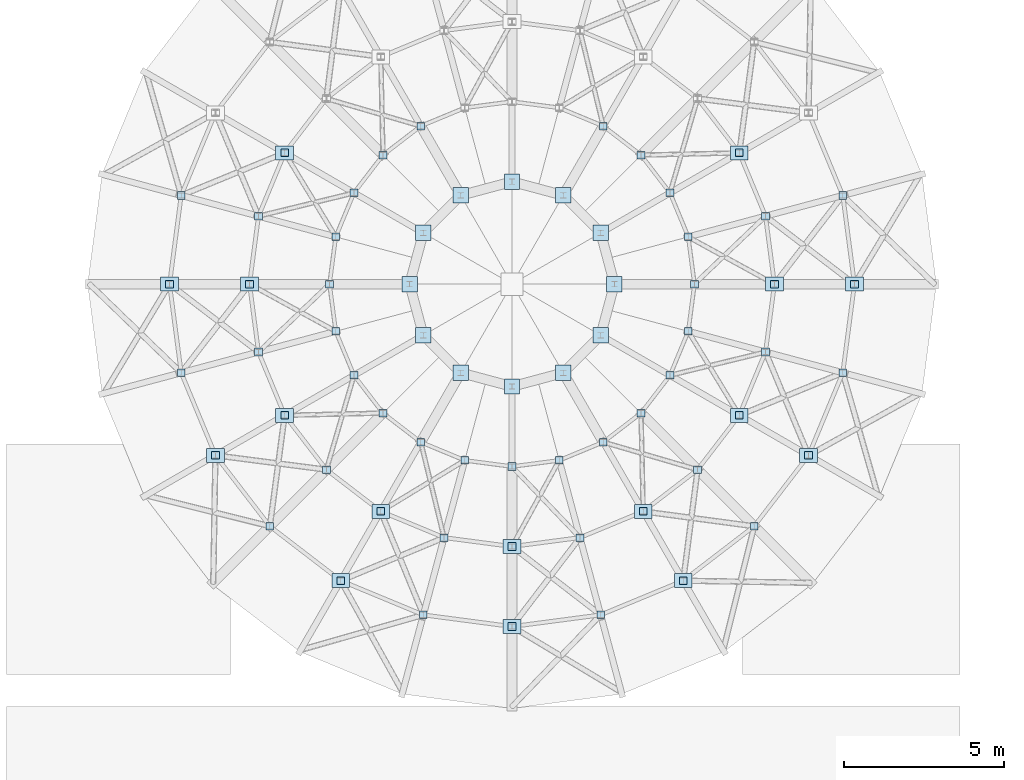
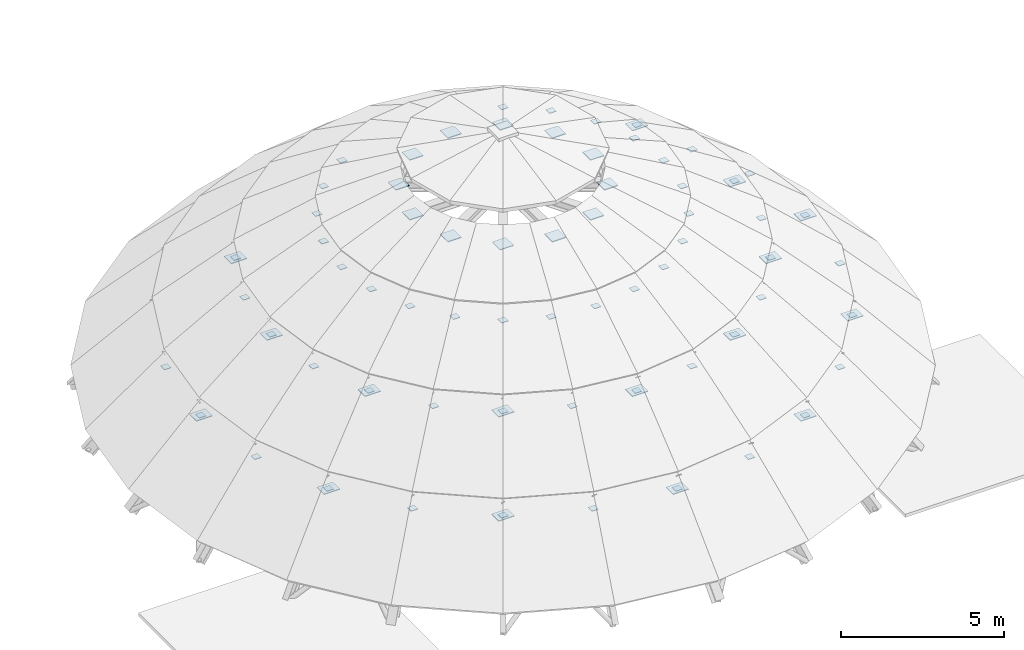
# One storey, part 25 of 31: 81 plates.
"""IFC4 building model written with IfcOpenShell, lengths in metres."""

from ifc_helpers import new_model, si_unit, direction, frame, origin, origin_2d, place, context, subcontext, project, spatial, rectangle, extrude, material, layer, layer_set, type_object, element, save


model = new_model("IFC4")

# Units and contexts
model_context = context("Model", 3, precision=1e-05, world=origin(), true_north=direction((0.0, 1.0)))
body_context = subcontext(model_context, "Body", "Model", "MODEL_VIEW")
ifc_project = project(units=[si_unit("LENGTHUNIT", "METRE"), si_unit("AREAUNIT", "SQUARE_METRE"), si_unit("VOLUMEUNIT", "CUBIC_METRE"), si_unit("PLANEANGLEUNIT", "RADIAN"), si_unit("MASSUNIT", "GRAM", prefix="KILO")], contexts=[model_context])

# Site, building, storey
site_placement = place(None, origin())
site = spatial("IfcSite", under=ifc_project, at=site_placement, CompositionType="ELEMENT")
building_placement = place(site_placement, origin())
building = spatial("IfcBuilding", under=site, at=building_placement, Name="Clarverna Civic Hall", CompositionType="ELEMENT")
storey_placement = place(building_placement, frame((0.0, 0.0, 31.199951171875)))
storey = spatial("IfcBuildingStorey", under=building, at=storey_placement, Name="RF", CompositionType="ELEMENT", Elevation=31.199951171875)

# Plates
ifc_material = material(Name="Steel S355", Category="steel")
ifc_layer_1 = layer(ifc_material, 0.02197265625)
ifc_layer_set_1 = layer_set([ifc_layer_1], Name="Steel S355")
plate_type_1 = type_object("IfcPlateType", Name="NP-02", PredefinedType="SHEET", material=ifc_layer_set_1)
for number, where, z_axis, x_axis, name in (
    (1, (93.5, 59.0, -8.10986328125), (0.0, 0.0, 1.0), (1.0, 0.0, 0.0), "NP-02-001"),
    (2, (72.10009765625, 59.0, -8.10986328125), (0.0, 0.0, 1.0), (1.0, 0.0, 0.0), "NP-02-007"),
    (3, (73.533447265625, 53.64990234375, -8.10986328125), (0.0, 0.0, 1.0), (1.0, 0.0, 0.0), "NP-02-008"),
    (4, (77.449951171875, 49.7333984375, -8.10986328125), (0.0, 0.0, 1.0), (1.0, 0.0, 0.0), "NP-02-009"),
    (5, (82.800048828125, 48.300048828125, -8.10986328125), (0.0, 0.0, 1.0), (1.0, 0.0, 0.0), "NP-02-010"),
    (6, (88.14990234375, 49.7333984375, -8.10986328125), (0.0, 0.0, 1.0), (1.0, 0.0, 0.0), "NP-02-011"),
    (7, (92.06640625, 53.64990234375, -8.10986328125), (0.0, 0.0, 1.0), (1.0, 0.0, 0.0), "NP-02-012"),
    (8, (91.0, 59.0, -5.9599609375), (0.0, 0.0, 1.0), (1.0, 0.0, 0.0), "NP-02-013"),
    (9, (89.9013671875, 63.10009765625, -5.9599609375), (0.0, 0.0, 1.0), (1.0, 0.0, 0.0), "NP-02-014"),
    (10, (75.698486328125, 63.10009765625, -5.9599609375), (0.0, 0.0, 1.0), (1.0, 0.0, 0.0), "NP-02-018"),
    (11, (74.60009765625, 59.0, -5.9599609375), (0.0, 0.0, 1.0), (1.0, 0.0, 0.0), "NP-02-019"),
    (12, (75.698486328125, 54.89990234375, -5.9599609375), (0.0, 0.0, 1.0), (1.0, 0.0, 0.0), "NP-02-020"),
    (13, (78.699951171875, 51.898681640625, -5.9599609375), (0.0, 0.0, 1.0), (1.0, 0.0, 0.0), "NP-02-021"),
    (14, (82.800048828125, 50.800048828125, -5.9599609375), (0.0, 0.0, 1.0), (1.0, 0.0, 0.0), "NP-02-022"),
    (15, (86.89990234375, 51.898681640625, -5.9599609375), (0.0, 0.0, 1.0), (1.0, 0.0, 0.0), "NP-02-023"),
    (16, (89.9013671875, 54.89990234375, -5.9599609375), (0.0, 0.0, 1.0), (1.0, 0.0, 0.0), "NP-02-024"),
):
    element("IfcPlate", number, at=place(storey_placement, frame(where, z_axis=z_axis, x_axis=x_axis)), inside=storey, type_object=plate_type_1, Name=name, PredefinedType="SHEET", context=body_context, shape_type="SweptSolid", body=[
        extrude(rectangle(XDim=0.56005859375, YDim=0.43994140625, at=origin_2d()), origin(), (0.0, 0.0, 1.0), 0.02490234375),
    ])
ifc_layer_2 = layer(ifc_material, 0.028076171875)
ifc_layer_set_2 = layer_set([ifc_layer_2], Name="Steel S355")
plate_type_2 = type_object("IfcPlateType", Name="NP-03", PredefinedType="SHEET", material=ifc_layer_set_2)
for number, where, z_axis, x_axis, name in (
    (17, (86.0, 59.0, -3.2099609375), (0.0, 0.0, 1.0), (1.0, 0.0, 0.0), "NP-03-001"),
    (18, (85.5712890625, 60.60009765625, -3.2099609375), (0.0, 0.0, 1.0), (1.0, 0.0, 0.0), "NP-03-002"),
    (19, (84.39990234375, 61.771240234375, -3.2099609375), (0.0, 0.0, 1.0), (1.0, 0.0, 0.0), "NP-03-003"),
    (20, (82.800048828125, 62.199951171875, -3.2099609375), (0.0, 0.0, 1.0), (1.0, 0.0, 0.0), "NP-03-004"),
    (21, (81.199951171875, 61.771240234375, -3.2099609375), (0.0, 0.0, 1.0), (1.0, 0.0, 0.0), "NP-03-005"),
    (22, (80.02880859375, 60.60009765625, -3.2099609375), (0.0, 0.0, 1.0), (1.0, 0.0, 0.0), "NP-03-006"),
    (23, (79.60009765625, 59.0, -3.2099609375), (0.0, 0.0, 1.0), (1.0, 0.0, 0.0), "NP-03-007"),
    (24, (80.02880859375, 57.39990234375, -3.2099609375), (0.0, 0.0, 1.0), (1.0, 0.0, 0.0), "NP-03-008"),
    (25, (81.199951171875, 56.228759765625, -3.2099609375), (0.0, 0.0, 1.0), (1.0, 0.0, 0.0), "NP-03-009"),
    (26, (82.800048828125, 55.800048828125, -3.2099609375), (0.0, 0.0, 1.0), (1.0, 0.0, 0.0), "NP-03-010"),
    (27, (84.39990234375, 56.228759765625, -3.2099609375), (0.0, 0.0, 1.0), (1.0, 0.0, 0.0), "NP-03-011"),
    (28, (85.5712890625, 57.39990234375, -3.2099609375), (0.0, 0.0, 1.0), (1.0, 0.0, 0.0), "NP-03-012"),
):
    element("IfcPlate", number, at=place(storey_placement, frame(where, z_axis=z_axis, x_axis=x_axis)), inside=storey, type_object=plate_type_2, Name=name, PredefinedType="SHEET", context=body_context, shape_type="SweptSolid", body=[
        extrude(rectangle(XDim=0.47998046875, YDim=0.47998046875, at=origin_2d()), origin(), (0.0, 0.0, 1.0), 0.030029296875),
    ])
ifc_layer_3 = layer(ifc_material, 0.02001953125)
ifc_layer_set_3 = layer_set([ifc_layer_3], Name="Steel S355")
plate_type_3 = type_object("IfcPlateType", Name="NP-04", PredefinedType="SHEET", material=ifc_layer_set_3)
for number, where, z_axis, x_axis, name in (
    (29, (93.135498046875, 61.769287109375, -8.10986328125), (0.0, 0.0, 1.0), (1.0, 0.0, 0.0), "NP-04-027"),
    (30, (93.5, 59.0, -8.10986328125), (0.0, 0.0, 1.0), (1.0, 0.0, 0.0), "NP-04-028"),
    (31, (72.464599609375, 61.769287109375, -8.10986328125), (0.0, 0.0, 1.0), (1.0, 0.0, 0.0), "NP-04-037"),
    (32, (72.464599609375, 56.230712890625, -8.10986328125), (0.0, 0.0, 1.0), (1.0, 0.0, 0.0), "NP-04-039"),
    (33, (72.10009765625, 59.0, -8.10986328125), (0.0, 0.0, 1.0), (1.0, 0.0, 0.0), "NP-04-040"),
    (34, (75.23388671875, 51.43408203125, -8.10986328125), (0.0, 0.0, 1.0), (1.0, 0.0, 0.0), "NP-04-041"),
    (35, (73.533447265625, 53.64990234375, -8.10986328125), (0.0, 0.0, 1.0), (1.0, 0.0, 0.0), "NP-04-042"),
    (36, (80.030517578125, 48.66455078125, -8.10986328125), (0.0, 0.0, 1.0), (1.0, 0.0, 0.0), "NP-04-043"),
    (37, (77.449951171875, 49.7333984375, -8.10986328125), (0.0, 0.0, 1.0), (1.0, 0.0, 0.0), "NP-04-044"),
    (38, (85.5693359375, 48.66455078125, -8.10986328125), (0.0, 0.0, 1.0), (1.0, 0.0, 0.0), "NP-04-045"),
    (39, (82.800048828125, 48.300048828125, -8.10986328125), (0.0, 0.0, 1.0), (1.0, 0.0, 0.0), "NP-04-046"),
    (40, (90.365966796875, 51.43408203125, -8.10986328125), (0.0, 0.0, 1.0), (1.0, 0.0, 0.0), "NP-04-047"),
    (41, (88.14990234375, 49.7333984375, -8.10986328125), (0.0, 0.0, 1.0), (1.0, 0.0, 0.0), "NP-04-048"),
    (42, (93.135498046875, 56.230712890625, -8.10986328125), (0.0, 0.0, 1.0), (1.0, 0.0, 0.0), "NP-04-049"),
    (43, (92.06640625, 53.64990234375, -8.10986328125), (0.0, 0.0, 1.0), (1.0, 0.0, 0.0), "NP-04-050"),
    (44, (90.720703125, 61.122314453125, -5.9599609375), (0.0, 0.0, 1.0), (1.0, 0.0, 0.0), "NP-04-051"),
    (45, (91.0, 59.0, -5.9599609375), (0.0, 0.0, 1.0), (1.0, 0.0, 0.0), "NP-04-052"),
    (46, (89.9013671875, 63.10009765625, -5.9599609375), (0.0, 0.0, 1.0), (1.0, 0.0, 0.0), "NP-04-054"),
    (47, (74.87939453125, 61.122314453125, -5.9599609375), (0.0, 0.0, 1.0), (1.0, 0.0, 0.0), "NP-04-061"),
    (48, (75.698486328125, 63.10009765625, -5.9599609375), (0.0, 0.0, 1.0), (1.0, 0.0, 0.0), "NP-04-062"),
    (49, (74.87939453125, 56.877685546875, -5.9599609375), (0.0, 0.0, 1.0), (1.0, 0.0, 0.0), "NP-04-063"),
    (50, (74.60009765625, 59.0, -5.9599609375), (0.0, 0.0, 1.0), (1.0, 0.0, 0.0), "NP-04-064"),
    (51, (77.001708984375, 53.20166015625, -5.9599609375), (0.0, 0.0, 1.0), (1.0, 0.0, 0.0), "NP-04-065"),
    (52, (75.698486328125, 54.89990234375, -5.9599609375), (0.0, 0.0, 1.0), (1.0, 0.0, 0.0), "NP-04-066"),
    (53, (80.677734375, 51.079345703125, -5.9599609375), (0.0, 0.0, 1.0), (1.0, 0.0, 0.0), "NP-04-067"),
    (54, (78.699951171875, 51.898681640625, -5.9599609375), (0.0, 0.0, 1.0), (1.0, 0.0, 0.0), "NP-04-068"),
    (55, (84.92236328125, 51.079345703125, -5.9599609375), (0.0, 0.0, 1.0), (1.0, 0.0, 0.0), "NP-04-069"),
    (56, (82.800048828125, 50.800048828125, -5.9599609375), (0.0, 0.0, 1.0), (1.0, 0.0, 0.0), "NP-04-070"),
    (57, (88.598388671875, 53.20166015625, -5.9599609375), (0.0, 0.0, 1.0), (1.0, 0.0, 0.0), "NP-04-071"),
    (58, (86.89990234375, 51.898681640625, -5.9599609375), (0.0, 0.0, 1.0), (1.0, 0.0, 0.0), "NP-04-072"),
    (59, (90.720703125, 56.877685546875, -5.9599609375), (0.0, 0.0, 1.0), (1.0, 0.0, 0.0), "NP-04-073"),
    (60, (89.9013671875, 54.89990234375, -5.9599609375), (0.0, 0.0, 1.0), (1.0, 0.0, 0.0), "NP-04-074"),
    (61, (88.305908203125, 60.475341796875, -4.31005859375), (0.0, 0.0, 1.0), (1.0, 0.0, 0.0), "NP-04-075"),
    (62, (88.5, 59.0, -4.31005859375), (0.0, 0.0, 1.0), (1.0, 0.0, 0.0), "NP-04-076"),
    (63, (86.83056640625, 63.030517578125, -4.31005859375), (0.0, 0.0, 1.0), (1.0, 0.0, 0.0), "NP-04-077"),
    (64, (87.736328125, 61.85009765625, -4.31005859375), (0.0, 0.0, 1.0), (1.0, 0.0, 0.0), "NP-04-078"),
    (65, (85.64990234375, 63.936279296875, -4.31005859375), (0.0, 0.0, 1.0), (1.0, 0.0, 0.0), "NP-04-080"),
    (66, (78.76953125, 63.030517578125, -4.31005859375), (0.0, 0.0, 1.0), (1.0, 0.0, 0.0), "NP-04-083"),
    (67, (79.949951171875, 63.936279296875, -4.31005859375), (0.0, 0.0, 1.0), (1.0, 0.0, 0.0), "NP-04-084"),
    (68, (77.294189453125, 60.475341796875, -4.31005859375), (0.0, 0.0, 1.0), (1.0, 0.0, 0.0), "NP-04-085"),
    (69, (77.86376953125, 61.85009765625, -4.31005859375), (0.0, 0.0, 1.0), (1.0, 0.0, 0.0), "NP-04-086"),
    (70, (77.294189453125, 57.524658203125, -4.31005859375), (0.0, 0.0, 1.0), (1.0, 0.0, 0.0), "NP-04-087"),
    (71, (77.10009765625, 59.0, -4.31005859375), (0.0, 0.0, 1.0), (1.0, 0.0, 0.0), "NP-04-088"),
    (72, (78.76953125, 54.969482421875, -4.31005859375), (0.0, 0.0, 1.0), (1.0, 0.0, 0.0), "NP-04-089"),
    (73, (77.86376953125, 56.14990234375, -4.31005859375), (0.0, 0.0, 1.0), (1.0, 0.0, 0.0), "NP-04-090"),
    (74, (81.32470703125, 53.494140625, -4.31005859375), (0.0, 0.0, 1.0), (1.0, 0.0, 0.0), "NP-04-091"),
    (75, (79.949951171875, 54.063720703125, -4.31005859375), (0.0, 0.0, 1.0), (1.0, 0.0, 0.0), "NP-04-092"),
    (76, (84.275390625, 53.494140625, -4.31005859375), (0.0, 0.0, 1.0), (1.0, 0.0, 0.0), "NP-04-093"),
    (77, (82.800048828125, 53.300048828125, -4.31005859375), (0.0, 0.0, 1.0), (1.0, 0.0, 0.0), "NP-04-094"),
    (78, (86.83056640625, 54.969482421875, -4.31005859375), (0.0, 0.0, 1.0), (1.0, 0.0, 0.0), "NP-04-095"),
    (79, (85.64990234375, 54.063720703125, -4.31005859375), (0.0, 0.0, 1.0), (1.0, 0.0, 0.0), "NP-04-096"),
    (80, (88.305908203125, 57.524658203125, -4.31005859375), (0.0, 0.0, 1.0), (1.0, 0.0, 0.0), "NP-04-097"),
    (81, (87.736328125, 56.14990234375, -4.31005859375), (0.0, 0.0, 1.0), (1.0, 0.0, 0.0), "NP-04-098"),
):
    element("IfcPlate", number, at=place(storey_placement, frame(where, z_axis=z_axis, x_axis=x_axis)), inside=storey, type_object=plate_type_3, Name=name, PredefinedType="SHEET", context=body_context, shape_type="SweptSolid", body=[
        extrude(rectangle(XDim=0.239990234375, YDim=0.239990234375, at=origin_2d()), origin(), (0.0, 0.0, 1.0), 0.02001953125),
    ])

save(model, "model.ifc")
